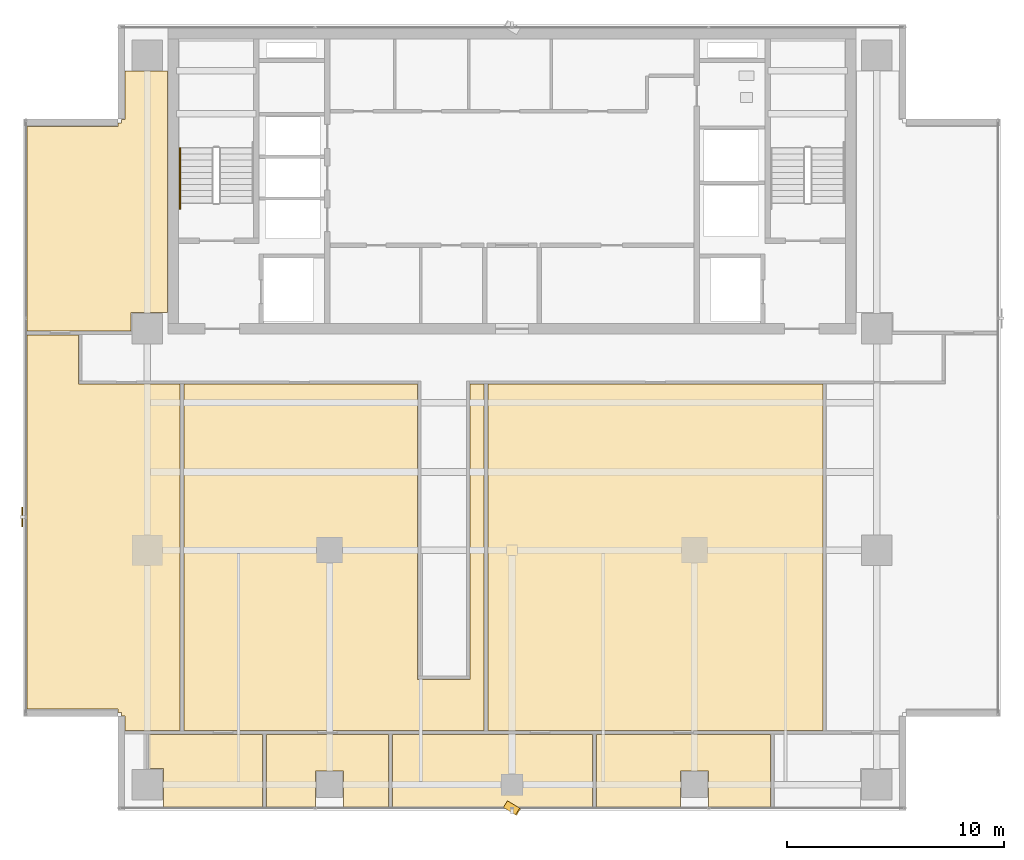
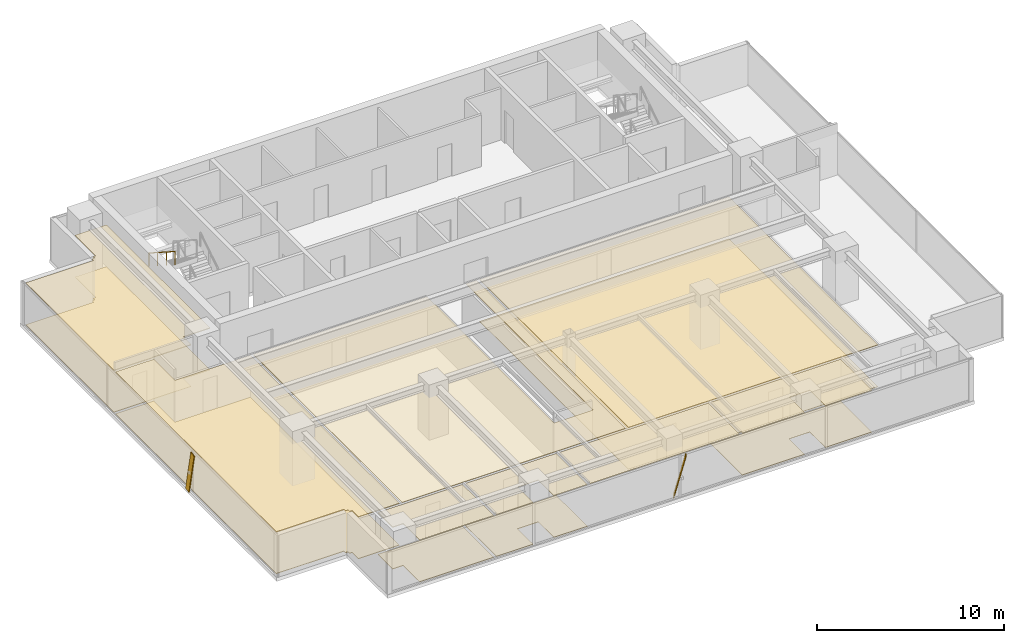
# One storey, part 22 of 25: 14 coverings, 2 shading devices, 1 railing.
"""IFC4 building model written with IfcOpenShell, lengths in metres."""

from ifc_helpers import new_model, si_unit, direction, frame, origin, origin_2d, place, context, subcontext, project, spatial, polyline, rectangle, outline, extrude, source, transform, mapped, material, layer, layer_set, material_profile, profile_set, type_object, element, save


model = new_model("IFC4")

# Units and contexts
model_context = context("Model", 3, precision=1e-05, world=origin(), true_north=direction((0.0, 1.0)))
body_context = subcontext(model_context, "Body", "Model", "MODEL_VIEW")
ifc_project = project(units=[si_unit("LENGTHUNIT", "METRE"), si_unit("AREAUNIT", "SQUARE_METRE"), si_unit("VOLUMEUNIT", "CUBIC_METRE"), si_unit("PLANEANGLEUNIT", "RADIAN"), si_unit("MASSUNIT", "GRAM", prefix="KILO")], contexts=[model_context])

# Site, building, storey
site_placement = place(None, origin())
site = spatial("IfcSite", under=ifc_project, at=site_placement, CompositionType="ELEMENT")
building_placement = place(site_placement, origin())
building = spatial("IfcBuilding", under=site, at=building_placement, Name="Sumidabori Civic Tower", CompositionType="ELEMENT")
storey_placement = place(building_placement, frame((0.0, 0.0, 239.60009765625)))
storey = spatial("IfcBuildingStorey", under=building, at=storey_placement, Name="L62", CompositionType="ELEMENT", Elevation=239.60009765625)

# Coverings
ifc_material_1 = material(Name="Perforated Timber Acoustic Ceiling", Category="wood")
ifc_layer_1 = layer(ifc_material_1, 0.044921875, Name="Perforated Timber Acoustic Ceiling")
ifc_layer_set_1 = layer_set([ifc_layer_1], Name="Perforated Timber Acoustic Ceiling")
covering_type_1 = type_object("IfcCoveringType", Name="CV-CEIL-AC2", PredefinedType="CEILING", material=ifc_layer_set_1)
covering_1_placement = place(storey_placement, frame((0.0, 0.0, 2.719970703125)))
element("IfcCovering", 1, at=covering_1_placement, inside=storey, type_object=covering_type_1, Name="Room Acoustic Ceiling L62-01", PredefinedType="CEILING", context=body_context, shape_type="SweptSolid", body=[
    extrude(outline(polyline([(-22.330078125, 10.08740234375), (-22.330078125, 19.52197265625), (-18.14208984375, 19.52197265625), (-18.14208984375, 19.679931640625), (-17.97998046875, 19.679931640625), (-17.97998046875, 19.842041015625), (-17.822021484375, 19.842041015625), (-17.822021484375, 22.06005859375), (-15.8779296875, 22.06005859375), (-15.8779296875, 10.93994140625), (-17.5400390625, 10.93994140625), (-17.5400390625, 10.10498046875), (-19.955078125, 10.10498046875), (-19.955078125, 10.08740234375), (-22.330078125, 10.08740234375)])), origin(), (0.0, 0.0, 1.0), 0.044921875),
])
covering_2_placement = place(storey_placement, frame((0.0, 0.0, 2.719970703125)))
element("IfcCovering", 2, at=covering_2_placement, inside=storey, type_object=covering_type_1, Name="Room Acoustic Ceiling L62-03", PredefinedType="CEILING", context=body_context, shape_type="SweptSolid", body=[
    extrude(outline(polyline([(-22.330078125, -7.322021484375), (-22.330078125, 9.91259765625), (-19.955078125, 9.91259765625), (-19.955078125, 7.64501953125), (-15.28759765625, 7.64501953125), (-15.28759765625, -8.3125), (-17.822021484375, -8.3125), (-17.822021484375, -7.64208984375), (-17.97998046875, -7.64208984375), (-17.97998046875, -7.47998046875), (-18.14208984375, -7.47998046875), (-18.14208984375, -7.322021484375), (-22.330078125, -7.322021484375)])), origin(), (0.0, 0.0, 1.0), 0.044921875),
])
covering_3_placement = place(storey_placement, frame((0.0, 0.0, 2.719970703125)))
element("IfcCovering", 3, at=covering_3_placement, inside=storey, type_object=covering_type_1, Name="Room Acoustic Ceiling L62-05", PredefinedType="CEILING", context=body_context, shape_type="SweptSolid", body=[
    extrude(outline(polyline([(-1.112548828125, -8.3125), (-1.112548828125, 7.64501953125), (14.3125, 7.64501953125), (14.3125, -8.3125), (-1.112548828125, -8.3125)])), origin(), (0.0, 0.0, 1.0), 0.044921875),
])
covering_4_placement = place(storey_placement, frame((0.0, 0.0, 2.719970703125)))
element("IfcCovering", 4, at=covering_4_placement, inside=storey, type_object=covering_type_1, Name="Room Acoustic Ceiling L62-06", PredefinedType="CEILING", context=body_context, shape_type="SweptSolid", body=[
    extrude(outline(polyline([(-15.112548828125, -8.3125), (-15.112548828125, 7.64501953125), (-4.35498046875, 7.64501953125), (-4.35498046875, -5.955078125), (-1.945068359375, -5.955078125), (-1.945068359375, 7.64501953125), (-1.28759765625, 7.64501953125), (-1.28759765625, -8.3125), (-15.112548828125, -8.3125)])), origin(), (0.0, 0.0, 1.0), 0.044921875),
])
covering_5_placement = place(storey_placement, frame((0.0, 0.0, 2.719970703125)))
element("IfcCovering", 5, at=covering_5_placement, inside=storey, type_object=covering_type_1, Name="Room Acoustic Ceiling L62-07", PredefinedType="CEILING", context=body_context, shape_type="SweptSolid", body=[
    extrude(outline(polyline([(-5.6875, -8.487548828125), (-5.6875, -11.830078125), (-7.760009765625, -11.830078125), (-7.760009765625, -10.159912109375), (-9.0400390625, -10.159912109375), (-9.0400390625, -11.830078125), (-11.3125, -11.830078125), (-11.3125, -8.487548828125), (-5.6875, -8.487548828125)])), origin(), (0.0, 0.0, 1.0), 0.044921875),
])
covering_6_placement = place(storey_placement, frame((0.0, 0.0, 2.719970703125)))
element("IfcCovering", 6, at=covering_6_placement, inside=storey, type_object=covering_type_1, Name="Room Acoustic Ceiling L62-09", PredefinedType="CEILING", context=body_context, shape_type="SweptSolid", body=[
    extrude(outline(polyline([(-16.06005859375, -10.06005859375), (-16.71240234375, -10.06005859375), (-16.71240234375, -8.487548828125), (-11.487548828125, -8.487548828125), (-11.487548828125, -11.830078125), (-16.06005859375, -11.830078125), (-16.06005859375, -10.06005859375)])), origin(), (0.0, 0.0, 1.0), 0.044921875),
])
covering_7_placement = place(storey_placement, frame((0.0, 0.0, 2.719970703125)))
element("IfcCovering", 7, at=covering_7_placement, inside=storey, type_object=covering_type_1, Name="Room Acoustic Ceiling L62-10", PredefinedType="CEILING", context=body_context, shape_type="SweptSolid", body=[
    extrude(outline(polyline([(3.71240234375, -8.487548828125), (3.71240234375, -11.830078125), (-5.512451171875, -11.830078125), (-5.512451171875, -8.487548828125), (3.71240234375, -8.487548828125)])), origin(), (0.0, 0.0, 1.0), 0.044921875),
])
covering_8_placement = place(storey_placement, frame((0.0, 0.0, 2.719970703125)))
element("IfcCovering", 8, at=covering_8_placement, inside=storey, type_object=covering_type_1, Name="Room Acoustic Ceiling L62-11", PredefinedType="CEILING", context=body_context, shape_type="SweptSolid", body=[
    extrude(outline(polyline([(11.91259765625, -8.487548828125), (11.91259765625, -11.830078125), (9.0400390625, -11.830078125), (9.0400390625, -10.159912109375), (7.760009765625, -10.159912109375), (7.760009765625, -11.830078125), (3.887451171875, -11.830078125), (3.887451171875, -8.487548828125), (11.91259765625, -8.487548828125)])), origin(), (0.0, 0.0, 1.0), 0.044921875),
])
ifc_material_2 = material(Name="Honed Terrazzo Tile Flooring")
ifc_layer_2 = layer(ifc_material_2, 0.030029296875, Name="Honed Terrazzo Tile Flooring")
ifc_layer_set_2 = layer_set([ifc_layer_2], Name="Honed Terrazzo Tile Flooring")
covering_type_2 = type_object("IfcCoveringType", Name="CV-FLR-TER", PredefinedType="FLOORING", material=ifc_layer_set_2)
covering_9_placement = place(storey_placement, origin())
element("IfcCovering", 9, at=covering_9_placement, inside=storey, type_object=covering_type_2, Name="Room Terrazzo Floor L62-01", PredefinedType="FLOORING", context=body_context, shape_type="SweptSolid", body=[
    extrude(outline(polyline([(-22.330078125, 10.08740234375), (-22.330078125, 19.52197265625), (-18.14208984375, 19.52197265625), (-18.14208984375, 19.679931640625), (-17.97998046875, 19.679931640625), (-17.97998046875, 19.842041015625), (-17.822021484375, 19.842041015625), (-17.822021484375, 22.06005859375), (-15.8779296875, 22.06005859375), (-15.8779296875, 10.93994140625), (-17.5400390625, 10.93994140625), (-17.5400390625, 10.10498046875), (-19.955078125, 10.10498046875), (-19.955078125, 10.08740234375), (-22.330078125, 10.08740234375)])), origin(), (0.0, 0.0, 1.0), 0.02978515625),
])
covering_10_placement = place(storey_placement, origin())
element("IfcCovering", 10, at=covering_10_placement, inside=storey, type_object=covering_type_2, Name="Room Terrazzo Floor L62-03", PredefinedType="FLOORING", context=body_context, shape_type="SweptSolid", body=[
    extrude(outline(polyline([(-22.330078125, -7.322021484375), (-22.330078125, 9.91259765625), (-19.955078125, 9.91259765625), (-19.955078125, 7.64501953125), (-15.28759765625, 7.64501953125), (-15.28759765625, -8.3125), (-17.822021484375, -8.3125), (-17.822021484375, -7.64208984375), (-17.97998046875, -7.64208984375), (-17.97998046875, -7.47998046875), (-18.14208984375, -7.47998046875), (-18.14208984375, -7.322021484375), (-22.330078125, -7.322021484375)])), origin(), (0.0, 0.0, 1.0), 0.02978515625),
])
covering_11_placement = place(storey_placement, origin())
element("IfcCovering", 11, at=covering_11_placement, inside=storey, type_object=covering_type_2, Name="Room Terrazzo Floor L62-05", PredefinedType="FLOORING", context=body_context, shape_type="SweptSolid", body=[
    extrude(outline(polyline([(-1.112548828125, -8.3125), (-1.112548828125, 7.64501953125), (14.3125, 7.64501953125), (14.3125, -8.3125), (-1.112548828125, -8.3125)])), origin(), (0.0, 0.0, 1.0), 0.02978515625),
])
covering_12_placement = place(storey_placement, origin())
element("IfcCovering", 12, at=covering_12_placement, inside=storey, type_object=covering_type_2, Name="Room Terrazzo Floor L62-07", PredefinedType="FLOORING", context=body_context, shape_type="SweptSolid", body=[
    extrude(outline(polyline([(-5.6875, -8.487548828125), (-5.6875, -11.830078125), (-7.760009765625, -11.830078125), (-7.760009765625, -10.159912109375), (-9.0400390625, -10.159912109375), (-9.0400390625, -11.830078125), (-11.3125, -11.830078125), (-11.3125, -8.487548828125), (-5.6875, -8.487548828125)])), origin(), (0.0, 0.0, 1.0), 0.02978515625),
])
covering_13_placement = place(storey_placement, origin())
element("IfcCovering", 13, at=covering_13_placement, inside=storey, type_object=covering_type_2, Name="Room Terrazzo Floor L62-09", PredefinedType="FLOORING", context=body_context, shape_type="SweptSolid", body=[
    extrude(outline(polyline([(-16.06005859375, -10.06005859375), (-16.71240234375, -10.06005859375), (-16.71240234375, -8.487548828125), (-11.487548828125, -8.487548828125), (-11.487548828125, -11.830078125), (-16.06005859375, -11.830078125), (-16.06005859375, -10.06005859375)])), origin(), (0.0, 0.0, 1.0), 0.02978515625),
])
covering_14_placement = place(storey_placement, origin())
element("IfcCovering", 14, at=covering_14_placement, inside=storey, type_object=covering_type_2, Name="Room Terrazzo Floor L62-11", PredefinedType="FLOORING", context=body_context, shape_type="SweptSolid", body=[
    extrude(outline(polyline([(11.91259765625, -8.487548828125), (11.91259765625, -11.830078125), (9.0400390625, -11.830078125), (9.0400390625, -10.159912109375), (7.760009765625, -10.159912109375), (7.760009765625, -11.830078125), (3.887451171875, -11.830078125), (3.887451171875, -8.487548828125), (11.91259765625, -8.487548828125)])), origin(), (0.0, 0.0, 1.0), 0.02978515625),
])

# Railing
ifc_material_3 = material(Name="Stainless Steel Hairline Finish", Category="steel")
railing_type = type_object("IfcRailingType", Name="RL-HANDRAIL", PredefinedType="HANDRAIL", material=ifc_material_3)
railing_placement = place(storey_placement, frame((-15.2900390625, 18.52001953125, 1.97998046875)))
element("IfcRailing", 15, at=railing_placement, inside=storey, type_object=railing_type, Name="L62 ST-1 stair handrail 2", PredefinedType="HANDRAIL", context=body_context, shape_type="SweptSolid", body=[
    extrude(rectangle(XDim=0.048095703125, YDim=0.048095703125, at=origin_2d()), frame((0.0, 0.0, 0.8759765625), z_axis=(0.0, -0.840675598268, 0.541539046124), x_axis=(1.0, 0.0, 0.0)), (0.0, 0.0, 1.0), 3.330810546875),
    extrude(rectangle(XDim=0.0419921875, YDim=0.0419921875, at=origin_2d()), origin(), (0.0, 0.0, 1.0), 0.851806640625),
    extrude(rectangle(XDim=0.0419921875, YDim=0.0419921875, at=origin_2d()), frame((0.0, -0.933349609375, 0.601318359375)), (0.0, 0.0, 1.0), 0.851806640625),
    extrude(rectangle(XDim=0.0419921875, YDim=0.0419921875, at=origin_2d()), frame((0.0, -1.86669921875, 1.202392578125)), (0.0, 0.0, 1.0), 0.851806640625),
    extrude(rectangle(XDim=0.0419921875, YDim=0.0419921875, at=origin_2d()), frame((0.0, -2.800048828125, 1.8037109375)), (0.0, 0.0, 1.0), 0.851806640625),
])

# Shading devices
ifc_material_4 = material(Name="Anodised Bronze Aluminium AW-6063-T6", Category="aluminium")
ifc_material_profile = material_profile(ifc_material_4, rectangle(XDim=0.054931640625, YDim=0.360107421875, at=origin_2d()), Name="BRONZE FIN 360x55")
ifc_profile_set = profile_set([ifc_material_profile], Name="Anodised Bronze Aluminium AW-6063-T6")
shading_device_type = type_object("IfcShadingDeviceType", Name="SH-FIN-360", PredefinedType="USERDEFINED", material=ifc_profile_set)
shared_shape_1 = source(origin(), body_context, "Body", "SweptSolid", [
    extrude(rectangle(XDim=0.054931640625, YDim=0.360107421875, at=origin_2d()), origin(), (0.0, 0.0, 1.0), 2.7685546875),
])
shading_device_1_placement = place(storey_placement, frame((-0.280029296875, -11.7099609375, 0.02001953125), z_axis=(0.202289930374, -0.122837782481, 0.971591304646), x_axis=(0.830469701518, -0.504291322674, -0.236665030656)))
element("IfcShadingDevice", 16, at=shading_device_1_placement, inside=storey, type_object=shading_device_type, Name="Bronze Anodised Diagonal Fin L62-02", ObjectType="FIN", PredefinedType="USERDEFINED", context=body_context, shape_type="MappedRepresentation", body=[
    mapped(shared_shape_1, transform((0.0, 0.0, 0.0), x_axis=(1.0, 0.0, 0.0), y_axis=(0.0, 1.0, 0.0), z_axis=(0.0, 0.0, 1.0), scale=1.0)),
])
shared_shape_2 = source(origin(), body_context, "Body", "SweptSolid", [
    extrude(rectangle(XDim=0.054931640625, YDim=0.360107421875, at=origin_2d()), origin(), (0.0, 0.0, 1.0), 2.74755859375),
])
shading_device_2_placement = place(storey_placement, frame((-22.550048828125, 1.806640625, 0.02001953125), z_axis=(0.0, -0.20383361069, 0.979005546028), x_axis=(-1.0, 0.0, 0.0)))
element("IfcShadingDevice", 17, at=shading_device_2_placement, inside=storey, type_object=shading_device_type, Name="Bronze Anodised Diagonal Fin L62-02", ObjectType="FIN", PredefinedType="USERDEFINED", context=body_context, shape_type="MappedRepresentation", body=[
    mapped(shared_shape_2, transform((0.0, 0.0, 0.0), x_axis=(1.0, 0.0, 0.0), y_axis=(0.0, 1.0, 0.0), z_axis=(0.0, 0.0, 1.0), scale=1.0)),
])

save(model, "model.ifc")
